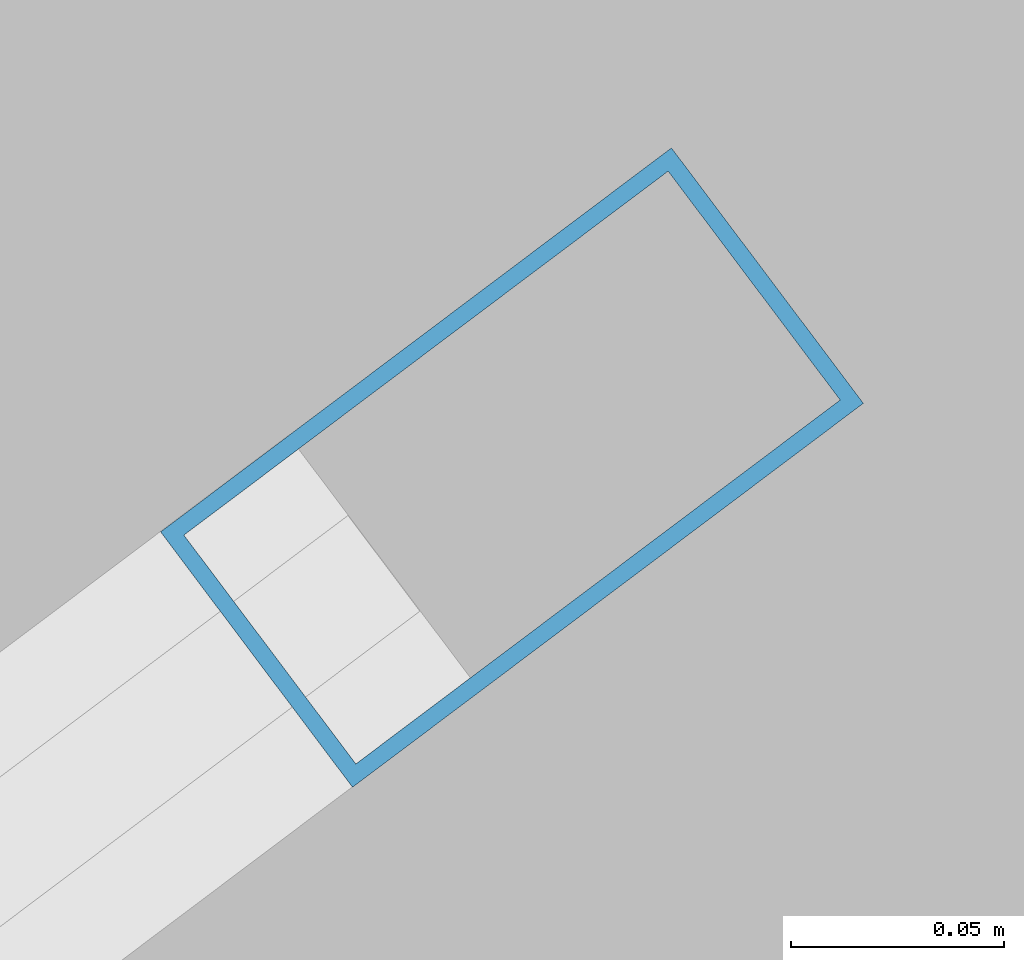
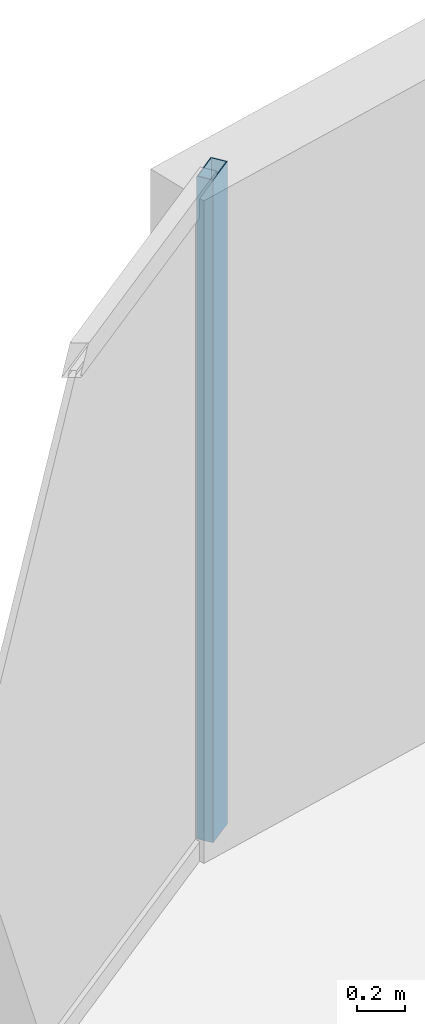
# One storey, part 18 of 30: 1 member, 1 element without a shape of its own.
"""IFC4 building model written with IfcOpenShell, lengths in metres."""

from ifc_helpers import new_model, si_unit, direction, frame, origin, origin_2d, place, context, subcontext, project, spatial, hollow_rectangle, extrude, material, layer, layer_set, material_profile, profile_set, type_object, element, aggregate, save


model = new_model("IFC4")

# Units and contexts
model_context = context("Model", 3, precision=1e-05, world=origin(), true_north=direction((0.0, 1.0)))
body_context = subcontext(model_context, "Body", "Model", "MODEL_VIEW")
ifc_project = project(units=[si_unit("LENGTHUNIT", "METRE"), si_unit("AREAUNIT", "SQUARE_METRE"), si_unit("VOLUMEUNIT", "CUBIC_METRE"), si_unit("PLANEANGLEUNIT", "RADIAN"), si_unit("MASSUNIT", "GRAM", prefix="KILO")], contexts=[model_context])

# Site, building, storey
site_placement = place(None, origin())
site = spatial("IfcSite", under=ifc_project, at=site_placement, CompositionType="ELEMENT")
building_placement = place(site_placement, origin())
building = spatial("IfcBuilding", under=site, at=building_placement, Name="Kazevale Care Tower and Concert Hall", CompositionType="ELEMENT")
storey_placement = place(building_placement, frame((0.0, 0.0, 131.39990234375)))
storey = spatial("IfcBuildingStorey", under=building, at=storey_placement, Name="L34", CompositionType="ELEMENT", Elevation=131.39990234375)

# Curtain wall, member
ifc_material_1 = material(Name="Aluminium 6063-T6 and Low-E Glass", Category="aluminium")
ifc_layer = layer(ifc_material_1, 0.179931640625)
ifc_layer_set = layer_set([ifc_layer], Name="Aluminium 6063-T6 and Low-E Glass")
curtain_wall_type = type_object("IfcCurtainWallType", Name="Convex Recessed Sunroom Curtain Wall CW-3", PredefinedType="NOTDEFINED", material=ifc_layer_set)
curtain_wall_placement = place(storey_placement, origin())
curtain_wall = element("IfcCurtainWall", 1, at=curtain_wall_placement, inside=storey, type_object=curtain_wall_type, Name="cw:L34:f14", PredefinedType="NOTDEFINED")
ifc_material_2 = material(Name="Aluminium 6063-T6", Category="aluminium")
ifc_material_profile = material_profile(ifc_material_2, hollow_rectangle(XDim=0.074951171875, YDim=0.14990234375, WallThickness=0.00390625, at=origin_2d()), Name="ALU75x150x4")
ifc_profile_set = profile_set([ifc_material_profile], Name="Aluminium 6063-T6")
member_type = type_object("IfcMemberType", Name="CW-3 Mullion ALU75x150x4", PredefinedType="MULLION", material=ifc_profile_set)
member_placement = place(storey_placement, frame((29.157958984375, 59.136474609375, 0.0), z_axis=(0.0, 0.0, 1.0), x_axis=(-0.600797902474, 0.799400950952, 0.0)))
member = element("IfcMember", 2, at=member_placement, type_object=member_type, Name="CW-3 mullion 2", PredefinedType="MULLION", context=body_context, shape_type="SweptSolid", body=[
    extrude(hollow_rectangle(XDim=0.074951171875, YDim=0.14990234375, WallThickness=0.00390625, at=origin_2d()), origin(), (0.0, 0.0, 1.0), 3.360107421875),
])
aggregate(curtain_wall, [member])

save(model, "model.ifc")
